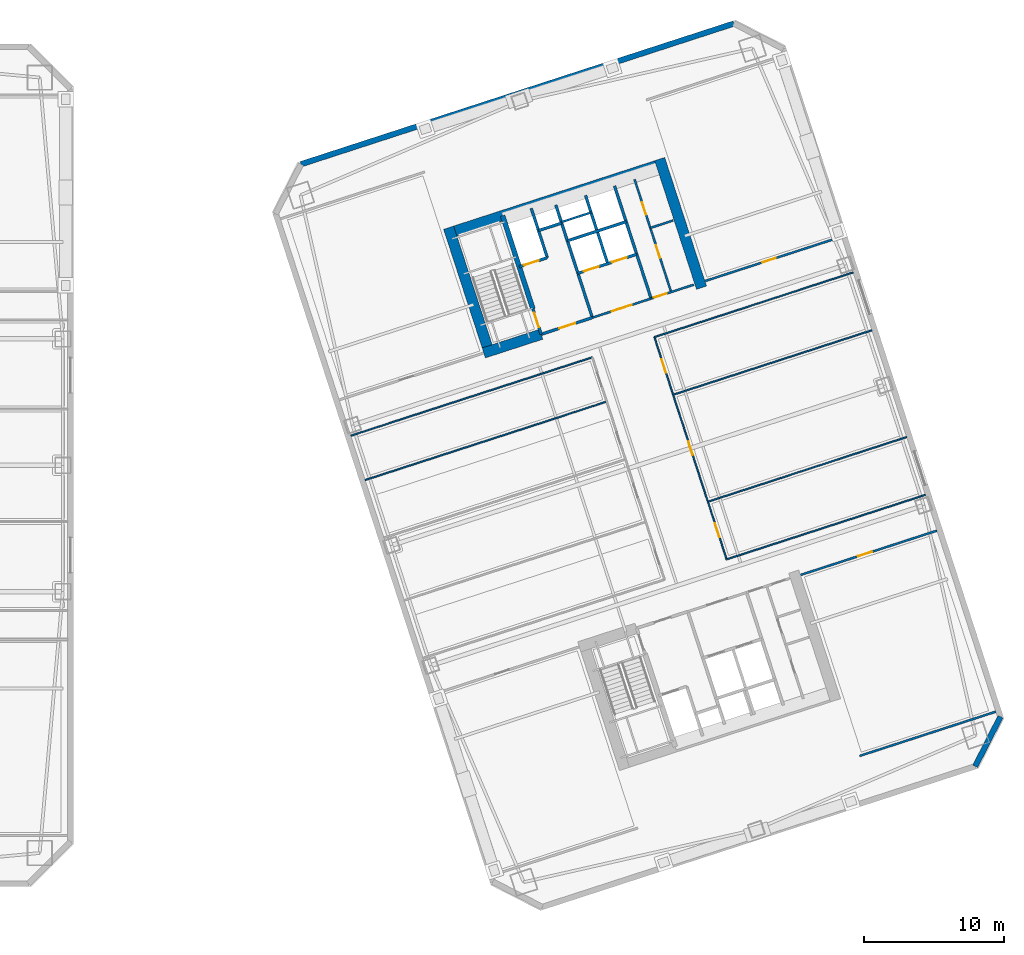
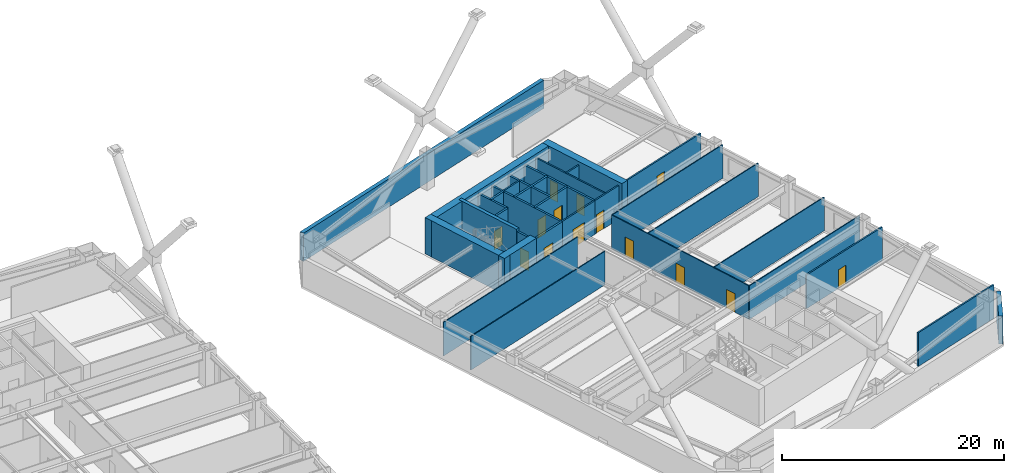
# One storey, part 8 of 18: 32 walls, 14 doors, 14 openings.
"""IFC4 building model written with IfcOpenShell, lengths in metres."""

from ifc_helpers import new_model, si_unit, direction, frame, frame_2d, origin, place, context, subcontext, project, spatial, rectangle, extrude, material, layer, layer_set, type_object, element, fill, save


model = new_model("IFC4")

# Units and contexts
model_context = context("Model", 3, precision=1e-05, world=origin(), true_north=direction((0.0, 1.0)))
body_context = subcontext(model_context, "Body", "Model", "MODEL_VIEW")
ifc_project = project(units=[si_unit("LENGTHUNIT", "METRE"), si_unit("AREAUNIT", "SQUARE_METRE"), si_unit("VOLUMEUNIT", "CUBIC_METRE"), si_unit("PLANEANGLEUNIT", "RADIAN"), si_unit("MASSUNIT", "GRAM", prefix="KILO")], contexts=[model_context])

# Site, building, storey
site_placement = place(None, origin())
site = spatial("IfcSite", under=ifc_project, at=site_placement, CompositionType="ELEMENT")
building_placement = place(site_placement, origin())
building = spatial("IfcBuilding", under=site, at=building_placement, Name="Qiaolan Cultural Towers", CompositionType="ELEMENT")
storey_placement = place(building_placement, frame((0.0, 0.0, 42.0)))
storey = spatial("IfcBuildingStorey", under=building, at=storey_placement, Name="L09", CompositionType="ELEMENT", Elevation=42.0)

# Walls
ifc_material_1 = material(Name="Concrete C50", Category="concrete")
ifc_layer_1 = layer(ifc_material_1, 0.35009765625)
ifc_layer_set_1 = layer_set([ifc_layer_1], Name="Concrete C50")
wall_type_1 = type_object("IfcWallType", Name="WL-CORE-350", PredefinedType="SHEAR", material=ifc_layer_set_1)
wall_1_placement = place(storey_placement, frame((82.513671875, 45.13134765625, 0.0), z_axis=(0.0, 0.0, 1.0), x_axis=(-0.308988790936, 0.951065679686, 0.0)))
element("IfcWall", 1, at=wall_1_placement, inside=storey, type_object=wall_type_1, Name="L09 T2-CN Stair Core Dividing Web", PredefinedType="SHEAR", context=body_context, shape_type="SweptSolid", body=[
    extrude(rectangle(XDim=6.97998046875, YDim=0.35009765625, at=frame_2d((3.489990234375, 0.0))), origin(), (0.0, 0.0, 1.0), 4.0),
])
ifc_material_2 = material(Name="Concrete C60", Category="concrete")
ifc_layer_2 = layer(ifc_material_2, 0.75)
ifc_layer_set_2 = layer_set([ifc_layer_2], Name="Concrete C60")
wall_type_2 = type_object("IfcWallType", Name="WL-CORE-750", PredefinedType="SHEAR", material=ifc_layer_set_2)
wall_2_placement = place(storey_placement, frame((76.27197265625, 50.442626953125, 0.0), z_axis=(0.0, 0.0, 1.0), x_axis=(0.951056072937, 0.309018358888, 0.0)))
element("IfcWall", 2, at=wall_2_placement, inside=storey, type_object=wall_type_2, Name="L09 T2-CN Outer Core Shear Wall", PredefinedType="SHEAR", context=body_context, shape_type="SweptSolid", body=[
    extrude(rectangle(XDim=16.550048828125, YDim=0.75, at=frame_2d((8.27490234375, 0.0))), origin(), (0.0, 0.0, 1.0), 4.0),
])
for number, where, z_axis, x_axis, name in (
    (3, (79.48876953125, 41.75634765625, 0.0), (0.0, 0.0, 1.0), (-0.309016134813, 0.951056795583, 0.0), "L09 T2-CN West Core Shear Wall"),
    (4, (94.515380859375, 46.638916015625, 0.0), (0.0, 0.0, 1.0), (-0.309016134813, 0.951056795583, 0.0), "L09 T2-CN East Core Shear Wall"),
):
    element("IfcWall", number, at=place(storey_placement, frame(where, z_axis=z_axis, x_axis=x_axis)), inside=storey, type_object=wall_type_2, Name=name, PredefinedType="SHEAR", context=body_context, shape_type="SweptSolid", body=[
        extrude(rectangle(XDim=9.630126953125, YDim=0.75, at=frame_2d((4.81494140625, 0.0))), origin(), (0.0, 0.0, 1.0), 4.0),
    ])
wall_3_placement = place(storey_placement, frame((79.01611328125, 41.997314453125, 0.0), z_axis=(0.0, 0.0, 1.0), x_axis=(0.95106038264, 0.309005094736, 0.0)))
element("IfcWall", 5, at=wall_3_placement, inside=storey, type_object=wall_type_2, Name="L09 T2-CN Stair Front Shear Wall", PredefinedType="SHEAR", context=body_context, shape_type="SweptSolid", body=[
    extrude(rectangle(XDim=4.294921875, YDim=0.75, at=frame_2d((2.1474609375, 0.0))), origin(), (0.0, 0.0, 1.0), 4.0),
])
ifc_material_3 = material(Name="Precast Concrete C50 Honed Stone Pier", Category="masonry")
ifc_layer_3 = layer(ifc_material_3, 0.39990234375)
ifc_layer_set_3 = layer_set([ifc_layer_3], Name="Precast Concrete C50 Honed Stone Pier")
wall_type_3 = type_object("IfcWallType", Name="WL-EXT-PIER-400", PredefinedType="SOLIDWALL", material=ifc_layer_set_3)
wall_4_placement = place(storey_placement, frame((66.002197265625, 55.433349609375, 0.0), z_axis=(0.0, 0.0, 1.0), x_axis=(0.951055939317, 0.309018770125, 0.0)))
element("IfcWall", 6, at=wall_4_placement, inside=storey, type_object=wall_type_3, Name="L09 East Tower Precast Pier Facade Wall F3", PredefinedType="SOLIDWALL", context=body_context, shape_type="SweptSolid", body=[
    extrude(rectangle(XDim=32.39990234375, YDim=0.39990234375, at=frame_2d((16.199951171875, 0.0))), origin(), (0.0, 0.0, 1.0), 3.10009765625),
])
wall_5_placement = place(storey_placement, frame((115.79541015625, 16.094970703125, 0.0), z_axis=(0.0, 0.0, 1.0), x_axis=(-0.453958106755, -0.891023028497, 0.0)))
element("IfcWall", 7, at=wall_5_placement, inside=storey, type_object=wall_type_3, Name="L09 East Tower Precast Pier Facade Wall F6", PredefinedType="SOLIDWALL", context=body_context, shape_type="SweptSolid", body=[
    extrude(rectangle(XDim=3.9599609375, YDim=0.39990234375, at=frame_2d((1.97998046875, 0.0))), origin(), (0.0, 0.0, 1.0), 3.10009765625),
])

# Wall, opening, door
ifc_material_4 = material(Name="Concrete C35 Fire Wall", Category="concrete")
ifc_layer_4 = layer(ifc_material_4, 0.199951171875)
ifc_layer_set_4 = layer_set([ifc_layer_4], Name="Concrete C35 Fire Wall")
wall_type_4 = type_object("IfcWallType", Name="WL-FIRE-200", PredefinedType="PARTITIONING", material=ifc_layer_set_4)
wall_6_placement = place(storey_placement, frame((83.100830078125, 43.324462890625, 0.0), z_axis=(0.0, 0.0, 1.0), x_axis=(-0.309048298632, 0.951046344356, 0.0)))
wall_6 = element("IfcWall", 8, at=wall_6_placement, inside=storey, type_object=wall_type_4, Name="L09 T2-CN Smokeproof Stair Entry Wall", PredefinedType="PARTITIONING", context=body_context, shape_type="SweptSolid", body=[
    extrude(rectangle(XDim=1.89990234375, YDim=0.199951171875, at=frame_2d((0.949951171875, 0.0))), origin(), (0.0, 0.0, 1.0), 3.705078125),
])
opening_1_placement = place(wall_6_placement, frame((0.52001953125, 0.0, 0.0)))
opening_1 = element("IfcOpeningElement", 9, at=opening_1_placement, cuts=wall_6, Name="Opening FD-04", PredefinedType="OPENING", context=body_context, shape_type="SweptSolid", body=[
    extrude(rectangle(XDim=1.10009765625, YDim=2.050048828125, at=frame_2d((0.550048828125, 1.02490234375))), frame((0.0, 0.10986328125, 0.0), z_axis=(0.0, -1.0, 0.0), x_axis=(1.0, 0.0, 0.0)), (0.0, 0.0, 1.0), 0.219970703125),
])
ifc_material_5 = material(Name="Galvanized Steel Command Fire Door", Category="steel")
door_type_1 = type_object("IfcDoorType", Name="DR-FD90-1100", OperationType="NOTDEFINED", PredefinedType="DOOR", material=ifc_material_5)
door_1_placement = place(opening_1_placement, origin())
door_1 = element("IfcDoor", 10, at=door_1_placement, inside=storey, type_object=door_type_1, Name="L09 ST-E2 Smokeproof Stair Fire Door", OperationType="SINGLE_SWING_LEFT", OverallHeight=2.050048828125, OverallWidth=1.10009765625, PredefinedType="DOOR", context=body_context, shape_type="SweptSolid", body=[
    extrude(rectangle(XDim=1.10009765625, YDim=2.050048828125, at=frame_2d((0.550048828125, 1.02490234375))), frame((0.0, 0.02490234375, 0.0), z_axis=(0.0, -1.0, 0.0), x_axis=(1.0, 0.0, 0.0)), (0.0, 0.0, 1.0), 0.050048828125),
])
fill(opening_1, door_1)

# Wall
wall_7_placement = place(storey_placement, frame((86.743408203125, 44.508056640625, 0.0), z_axis=(0.0, 0.0, 1.0), x_axis=(-0.309016001439, 0.951056838919, 0.0)))
element("IfcWall", 11, at=wall_7_placement, inside=storey, type_object=wall_type_4, Name="L09 T2-CN Firefighting Zone Wall", PredefinedType="PARTITIONING", context=body_context, shape_type="SweptSolid", body=[
    extrude(rectangle(XDim=8.429931640625, YDim=0.199951171875, at=frame_2d((4.21484375, 0.0))), origin(), (0.0, 0.0, 1.0), 3.705078125),
])

# Wall, opening, door
wall_8_placement = place(storey_placement, frame((83.100830078125, 43.324462890625, 0.0), z_axis=(0.0, 0.0, 1.0), x_axis=(0.951052804469, 0.309028417967, 0.0)))
wall_8 = element("IfcWall", 12, at=wall_8_placement, inside=storey, type_object=wall_type_4, Name="L09 T2-CN Firefighting Lobby Front Wall", PredefinedType="PARTITIONING", context=body_context, shape_type="SweptSolid", body=[
    extrude(rectangle(XDim=3.830078125, YDim=0.199951171875, at=frame_2d((1.9150390625, 0.0))), origin(), (0.0, 0.0, 1.0), 3.705078125),
])
opening_2_placement = place(wall_8_placement, frame((1.35009765625, 0.0, 0.0)))
opening_2 = element("IfcOpeningElement", 13, at=opening_2_placement, cuts=wall_8, Name="Opening FD-03", PredefinedType="OPENING", context=body_context, shape_type="SweptSolid", body=[
    extrude(rectangle(XDim=1.199951171875, YDim=2.050048828125, at=frame_2d((0.60009765625, 1.02490234375))), frame((0.0, 0.10986328125, 0.0), z_axis=(0.0, -1.0, 0.0), x_axis=(1.0, 0.0, 0.0)), (0.0, 0.0, 1.0), 0.219970703125),
])
ifc_material_6 = material(Name="Galvanized Steel Smokeproof Lobby Fire Door", Category="steel")
door_type_2 = type_object("IfcDoorType", Name="DR-FD90-1200", OperationType="NOTDEFINED", PredefinedType="DOOR", material=ifc_material_6)
door_2_placement = place(opening_2_placement, origin())
door_2 = element("IfcDoor", 14, at=door_2_placement, inside=storey, type_object=door_type_2, Name="L09 FFL-E2 Firefighting Lobby Fire Door", OperationType="SINGLE_SWING_LEFT", OverallHeight=2.050048828125, OverallWidth=1.199951171875, PredefinedType="DOOR", context=body_context, shape_type="SweptSolid", body=[
    extrude(rectangle(XDim=1.199951171875, YDim=2.050048828125, at=frame_2d((0.60009765625, 1.02490234375))), frame((0.0, 0.02490234375, 0.0), z_axis=(0.0, -1.0, 0.0), x_axis=(1.0, 0.0, 0.0)), (0.0, 0.0, 1.0), 0.050048828125),
])
fill(opening_2, door_2)

wall_9_placement = place(storey_placement, frame((81.540283203125, 48.127197265625, 0.0), z_axis=(0.0, 0.0, 1.0), x_axis=(0.951062257173, 0.308999325213, 0.0)))
wall_9 = element("IfcWall", 15, at=wall_9_placement, inside=storey, type_object=wall_type_4, Name="L09 T2-CN Firefighting Shaft Front Wall", PredefinedType="PARTITIONING", context=body_context, shape_type="SweptSolid", body=[
    extrude(rectangle(XDim=2.10009765625, YDim=0.199951171875, at=frame_2d((1.050048828125, 0.0))), origin(), (0.0, 0.0, 1.0), 3.705078125),
])
opening_3_placement = place(wall_9_placement, frame((0.35009765625, 0.0, 0.0)))
opening_3 = element("IfcOpeningElement", 16, at=opening_3_placement, cuts=wall_9, Name="Opening LD-01", PredefinedType="OPENING", context=body_context, shape_type="SweptSolid", body=[
    extrude(rectangle(XDim=1.10009765625, YDim=2.050048828125, at=frame_2d((0.550048828125, 1.02490234375))), frame((0.0, 0.10986328125, 0.0), z_axis=(0.0, -1.0, 0.0), x_axis=(1.0, 0.0, 0.0)), (0.0, 0.0, 1.0), 0.219970703125),
])
ifc_material_7 = material(Name="Brushed Stainless Steel S30408 Centre-Parting Lift Landing Door", Category="steel")
door_type_3 = type_object("IfcDoorType", Name="DR-LIFT-1100", OperationType="NOTDEFINED", PredefinedType="DOOR", material=ifc_material_7)
door_3_placement = place(opening_3_placement, origin())
door_3 = element("IfcDoor", 17, at=door_3_placement, inside=storey, type_object=door_type_3, Name="L09 FFL-E2 Firefighting Lift Landing Door", OperationType="DOUBLE_DOOR_SLIDING", OverallHeight=2.050048828125, OverallWidth=1.10009765625, PredefinedType="DOOR", context=body_context, shape_type="SweptSolid", body=[
    extrude(rectangle(XDim=1.10009765625, YDim=2.050048828125, at=frame_2d((0.550048828125, 1.02490234375))), frame((0.0, 0.02490234375, 0.0), z_axis=(0.0, -1.0, 0.0), x_axis=(1.0, 0.0, 0.0)), (0.0, 0.0, 1.0), 0.050048828125),
])
fill(opening_3, door_3)

# Walls
wall_10_placement = place(storey_placement, frame((83.53759765625, 48.776123046875, 0.0), z_axis=(0.0, 0.0, 1.0), x_axis=(-0.3089935693, 0.951064127245, 0.0)))
element("IfcWall", 18, at=wall_10_placement, inside=storey, type_object=wall_type_4, Name="L09 T2-CN Firefighting Hoistway East Wall", PredefinedType="PARTITIONING", context=body_context, shape_type="SweptSolid", body=[
    extrude(rectangle(XDim=3.7001953125, YDim=0.199951171875, at=frame_2d((1.85009765625, 0.0))), origin(), (0.0, 0.0, 1.0), 3.705078125),
])
wall_11_placement = place(storey_placement, frame((82.910400390625, 50.706787109375, 0.0), z_axis=(0.0, 0.0, 1.0), x_axis=(0.951041328149, 0.309063734775, 0.0)))
element("IfcWall", 19, at=wall_11_placement, inside=storey, type_object=wall_type_4, Name="L09 T2-CN Pressurization Shaft Front Wall", PredefinedType="PARTITIONING", context=body_context, shape_type="SweptSolid", body=[
    extrude(rectangle(XDim=1.72998046875, YDim=0.199951171875, at=frame_2d((0.864990234375, 0.0))), origin(), (0.0, 0.0, 1.0), 3.705078125),
])
wall_12_placement = place(storey_placement, frame((90.92822265625, 45.86767578125, 0.0), z_axis=(0.0, 0.0, 1.0), x_axis=(-0.309042196757, 0.951048327176, 0.0)))
element("IfcWall", 20, at=wall_12_placement, inside=storey, type_object=wall_type_4, Name="L09 T2-CN Lift Core East Wall", PredefinedType="PARTITIONING", context=body_context, shape_type="SweptSolid", body=[
    extrude(rectangle(XDim=8.429931640625, YDim=0.199951171875, at=frame_2d((4.21484375, 0.0))), origin(), (0.0, 0.0, 1.0), 3.705078125),
])

# Wall, openings, doors
wall_13_placement = place(storey_placement, frame((85.717529296875, 47.66552734375, 0.0), z_axis=(0.0, 0.0, 1.0), x_axis=(0.951058531764, 0.30901079133, 0.0)))
wall_13 = element("IfcWall", 21, at=wall_13_placement, inside=storey, type_object=wall_type_4, Name="L09 T2-CN Passenger Lift Shaft Front Wall", PredefinedType="PARTITIONING", context=body_context, shape_type="SweptSolid", body=[
    extrude(rectangle(XDim=4.39990234375, YDim=0.199951171875, at=frame_2d((2.199951171875, 0.0))), origin(), (0.0, 0.0, 1.0), 3.705078125),
])
opening_4_placement = place(wall_13_placement, frame((0.449951171875, 0.0, 0.0)))
opening_4 = element("IfcOpeningElement", 22, at=opening_4_placement, cuts=wall_13, Name="Opening LD-01", PredefinedType="OPENING", context=body_context, shape_type="SweptSolid", body=[
    extrude(rectangle(XDim=1.10009765625, YDim=2.050048828125, at=frame_2d((0.550048828125, 1.02490234375))), frame((0.0, 0.10986328125, 0.0), z_axis=(0.0, -1.0, 0.0), x_axis=(1.0, 0.0, 0.0)), (0.0, 0.0, 1.0), 0.219970703125),
])
opening_5_placement = place(wall_13_placement, frame((2.550048828125, 0.0, 0.0)))
opening_5 = element("IfcOpeningElement", 23, at=opening_5_placement, cuts=wall_13, Name="Opening LD-01", PredefinedType="OPENING", context=body_context, shape_type="SweptSolid", body=[
    extrude(rectangle(XDim=1.10009765625, YDim=2.050048828125, at=frame_2d((0.550048828125, 1.02490234375))), frame((0.0, 0.10986328125, 0.0), z_axis=(0.0, -1.0, 0.0), x_axis=(1.0, 0.0, 0.0)), (0.0, 0.0, 1.0), 0.219970703125),
])
door_4_placement = place(opening_4_placement, origin())
door_4 = element("IfcDoor", 24, at=door_4_placement, inside=storey, type_object=door_type_3, Name="L09 Passenger Lift 1 Landing Door", OperationType="DOUBLE_DOOR_SLIDING", OverallHeight=2.050048828125, OverallWidth=1.10009765625, PredefinedType="DOOR", context=body_context, shape_type="SweptSolid", body=[
    extrude(rectangle(XDim=1.10009765625, YDim=2.050048828125, at=frame_2d((0.550048828125, 1.02490234375))), frame((0.0, 0.02490234375, 0.0), z_axis=(0.0, -1.0, 0.0), x_axis=(1.0, 0.0, 0.0)), (0.0, 0.0, 1.0), 0.050048828125),
])
fill(opening_4, door_4)
door_5_placement = place(opening_5_placement, origin())
door_5 = element("IfcDoor", 25, at=door_5_placement, inside=storey, type_object=door_type_3, Name="L09 Passenger Lift 2 Landing Door", OperationType="DOUBLE_DOOR_SLIDING", OverallHeight=2.050048828125, OverallWidth=1.10009765625, PredefinedType="DOOR", context=body_context, shape_type="SweptSolid", body=[
    extrude(rectangle(XDim=1.10009765625, YDim=2.050048828125, at=frame_2d((0.550048828125, 1.02490234375))), frame((0.0, 0.02490234375, 0.0), z_axis=(0.0, -1.0, 0.0), x_axis=(1.0, 0.0, 0.0)), (0.0, 0.0, 1.0), 0.050048828125),
])
fill(opening_5, door_5)

# Walls
wall_14_placement = place(storey_placement, frame((87.83837890625, 48.3544921875, 0.0), z_axis=(0.0, 0.0, 1.0), x_axis=(-0.3090093719, 0.951058992953, 0.0)))
element("IfcWall", 26, at=wall_14_placement, inside=storey, type_object=wall_type_4, Name="L09 T2-CN Lift Shaft Divider Wall", PredefinedType="PARTITIONING", context=body_context, shape_type="SweptSolid", body=[
    extrude(rectangle(XDim=5.110107421875, YDim=0.199951171875, at=frame_2d((2.55517578125, 0.0))), origin(), (0.0, 0.0, 1.0), 3.705078125),
])
wall_15_placement = place(storey_placement, frame((84.966552734375, 49.9765625, 0.0), z_axis=(0.0, 0.0, 1.0), x_axis=(0.951063829732, 0.308994485023, 0.0)))
element("IfcWall", 27, at=wall_15_placement, inside=storey, type_object=wall_type_4, Name="L09 T2-CN Passenger Lift Shaft Back Wall", PredefinedType="PARTITIONING", context=body_context, shape_type="SweptSolid", body=[
    extrude(rectangle(XDim=4.400146484375, YDim=0.199951171875, at=frame_2d((2.2001953125, 0.0))), origin(), (0.0, 0.0, 1.0), 3.705078125),
])
ifc_material_8 = material(Name="Acoustic Double-Glazed Partition Frame", Category="glass")
ifc_layer_5 = layer(ifc_material_8, 0.10009765625)
ifc_layer_set_5 = layer_set([ifc_layer_5], Name="Acoustic Double-Glazed Partition Frame")
wall_type_5 = type_object("IfcWallType", Name="WL-GLAZED-100", PredefinedType="MOVABLE", material=ifc_layer_set_5)
wall_16_placement = place(storey_placement, frame((96.303955078125, 27.300048828125, 0.0), z_axis=(0.0, 0.0, 1.0), x_axis=(0.951055535739, 0.309020012199, 0.0)))
element("IfcWall", 28, at=wall_16_placement, inside=storey, type_object=wall_type_5, Name="L09 T2 South Corridor Right Wall", PredefinedType="MOVABLE", context=body_context, shape_type="SweptSolid", body=[
    extrude(rectangle(XDim=14.875, YDim=0.10009765625, at=frame_2d((7.4375, 0.0))), origin(), (0.0, 0.0, 1.0), 3.705078125),
])
wall_17_placement = place(storey_placement, frame((69.549072265625, 36.103271484375, 0.0), z_axis=(0.0, 0.0, 1.0), x_axis=(0.951057491432, 0.309013993197, 0.0)))
element("IfcWall", 29, at=wall_17_placement, inside=storey, type_object=wall_type_5, Name="L09 T2 North Corridor Left Wall", PredefinedType="MOVABLE", context=body_context, shape_type="SweptSolid", body=[
    extrude(rectangle(XDim=18.074951171875, YDim=0.10009765625, at=frame_2d((9.03759765625, 0.0))), origin(), (0.0, 0.0, 1.0), 3.705078125),
])
wall_18_placement = place(storey_placement, frame((91.161865234375, 43.125732421875, 0.0), z_axis=(0.0, 0.0, 1.0), x_axis=(0.951055535739, 0.309020012199, 0.0)))
element("IfcWall", 30, at=wall_18_placement, inside=storey, type_object=wall_type_5, Name="L09 T2 North Corridor Right Wall", PredefinedType="MOVABLE", context=body_context, shape_type="SweptSolid", body=[
    extrude(rectangle(XDim=14.875, YDim=0.10009765625, at=frame_2d((7.4375, 0.0))), origin(), (0.0, 0.0, 1.0), 3.705078125),
])

# Wall, openings, doors
wall_19_placement = place(storey_placement, frame((96.303955078125, 27.300048828125, 0.0), z_axis=(0.0, 0.0, 1.0), x_axis=(-0.30901773025, 0.951056277195, 0.0)))
wall_19 = element("IfcWall", 31, at=wall_19_placement, inside=storey, type_object=wall_type_5, Name="L09 T2 East Spine Wall", PredefinedType="MOVABLE", context=body_context, shape_type="SweptSolid", body=[
    extrude(rectangle(XDim=16.64013671875, YDim=0.10009765625, at=frame_2d((8.320068359375, 0.0))), origin(), (0.0, 0.0, 1.0), 3.705078125),
])
opening_6_placement = place(wall_19_placement, frame((1.659912109375, 0.0, 0.0)))
opening_6 = element("IfcOpeningElement", 32, at=opening_6_placement, cuts=wall_19, Name="Opening ID-07", PredefinedType="OPENING", context=body_context, shape_type="SweptSolid", body=[
    extrude(rectangle(XDim=1.050048828125, YDim=2.050048828125, at=frame_2d((0.52490234375, 1.02490234375))), frame((0.0, 0.06005859375, 0.0), z_axis=(0.0, -1.0, 0.0), x_axis=(1.0, 0.0, 0.0)), (0.0, 0.0, 1.0), 0.1201171875),
])
opening_7_placement = place(wall_19_placement, frame((7.820068359375, 0.0, 0.0)))
opening_7 = element("IfcOpeningElement", 33, at=opening_7_placement, cuts=wall_19, Name="Opening ID-04", PredefinedType="OPENING", context=body_context, shape_type="SweptSolid", body=[
    extrude(rectangle(XDim=1.0, YDim=2.050048828125, at=frame_2d((0.5, 1.02490234375))), frame((0.0, 0.06005859375, 0.0), z_axis=(0.0, -1.0, 0.0), x_axis=(1.0, 0.0, 0.0)), (0.0, 0.0, 1.0), 0.1201171875),
])
opening_8_placement = place(wall_19_placement, frame((13.97998046875, 0.0, 0.0)))
opening_8 = element("IfcOpeningElement", 34, at=opening_8_placement, cuts=wall_19, Name="Opening ID-04", PredefinedType="OPENING", context=body_context, shape_type="SweptSolid", body=[
    extrude(rectangle(XDim=1.0, YDim=2.050048828125, at=frame_2d((0.5, 1.02490234375))), frame((0.0, 0.06005859375, 0.0), z_axis=(0.0, -1.0, 0.0), x_axis=(1.0, 0.0, 0.0)), (0.0, 0.0, 1.0), 0.1201171875),
])
ifc_material_9 = material(Name="Oak Veneer Acoustic Office Door", Category="timber")
door_type_4 = type_object("IfcDoorType", Name="DR-INT-1000", OperationType="NOTDEFINED", PredefinedType="DOOR", material=ifc_material_9)
door_6_placement = place(opening_7_placement, origin())
door_6 = element("IfcDoor", 35, at=door_6_placement, inside=storey, type_object=door_type_4, Name="L09 T2 Design Archive Studio Door", OperationType="SINGLE_SWING_LEFT", OverallHeight=2.050048828125, OverallWidth=1.0, PredefinedType="DOOR", context=body_context, shape_type="SweptSolid", body=[
    extrude(rectangle(XDim=1.0, YDim=2.050048828125, at=frame_2d((0.5, 1.02490234375))), frame((0.0, 0.02490234375, 0.0), z_axis=(0.0, -1.0, 0.0), x_axis=(1.0, 0.0, 0.0)), (0.0, 0.0, 1.0), 0.050048828125),
])
fill(opening_7, door_6)
door_7_placement = place(opening_8_placement, origin())
door_7 = element("IfcDoor", 36, at=door_7_placement, inside=storey, type_object=door_type_4, Name="L09 T2 Staff Dining Kitchen Door", OperationType="SINGLE_SWING_RIGHT", OverallHeight=2.050048828125, OverallWidth=1.0, PredefinedType="DOOR", context=body_context, shape_type="SweptSolid", body=[
    extrude(rectangle(XDim=1.0, YDim=2.050048828125, at=frame_2d((0.5, 1.02490234375))), frame((0.0, 0.02490234375, 0.0), z_axis=(0.0, -1.0, 0.0), x_axis=(1.0, 0.0, 0.0)), (0.0, 0.0, 1.0), 0.050048828125),
])
fill(opening_8, door_7)
ifc_material_10 = material(Name="Oak Veneer Consultation Door", Category="timber")
door_type_5 = type_object("IfcDoorType", Name="DR-INT-1050", OperationType="NOTDEFINED", PredefinedType="DOOR", material=ifc_material_10)
door_8_placement = place(opening_6_placement, origin())
door_8 = element("IfcDoor", 37, at=door_8_placement, inside=storey, type_object=door_type_5, Name="L09 T2 Cultural Bookstore Gallery Door", OperationType="SINGLE_SWING_RIGHT", OverallHeight=2.050048828125, OverallWidth=1.050048828125, PredefinedType="DOOR", context=body_context, shape_type="SweptSolid", body=[
    extrude(rectangle(XDim=1.050048828125, YDim=2.050048828125, at=frame_2d((0.52490234375, 1.02490234375))), frame((0.0, 0.02490234375, 0.0), z_axis=(0.0, -1.0, 0.0), x_axis=(1.0, 0.0, 0.0)), (0.0, 0.0, 1.0), 0.050048828125),
])
fill(opening_6, door_8)

# Walls
wall_20_placement = place(storey_placement, frame((70.574951171875, 32.94580078125, 0.0), z_axis=(0.0, 0.0, 1.0), x_axis=(0.951057491432, 0.309013993197, 0.0)))
element("IfcWall", 38, at=wall_20_placement, inside=storey, type_object=wall_type_5, Name="L09 T2 West Partition 5", PredefinedType="MOVABLE", context=body_context, shape_type="SweptSolid", body=[
    extrude(rectangle(XDim=18.074951171875, YDim=0.10009765625, at=frame_2d((9.03759765625, 0.0))), origin(), (0.0, 0.0, 1.0), 3.705078125),
])
for number, where, z_axis, x_axis, name in (
    (39, (94.968994140625, 31.40869140625, 0.0), (0.0, 0.0, 1.0), (0.951055535739, 0.309020012199, 0.0), "L09 T2 East Partition 1"),
    (40, (92.496826171875, 39.01708984375, 0.0), (0.0, 0.0, 1.0), (0.951055535739, 0.309020012199, 0.0), "L09 T2 East Partition 2"),
):
    element("IfcWall", number, at=place(storey_placement, frame(where, z_axis=z_axis, x_axis=x_axis)), inside=storey, type_object=wall_type_5, Name=name, PredefinedType="MOVABLE", context=body_context, shape_type="SweptSolid", body=[
        extrude(rectangle(XDim=14.875, YDim=0.10009765625, at=frame_2d((7.4375, 0.0))), origin(), (0.0, 0.0, 1.0), 3.705078125),
    ])

# Wall, opening, door
ifc_material_11 = material(Name="Autoclaved Aerated Concrete Block B06", Category="concrete")
ifc_layer_6 = layer(ifc_material_11, 0.14990234375)
ifc_layer_set_6 = layer_set([ifc_layer_6], Name="Autoclaved Aerated Concrete Block B06")
wall_type_6 = type_object("IfcWallType", Name="WL-PART-150", PredefinedType="PARTITIONING", material=ifc_layer_set_6)
wall_21_placement = place(storey_placement, frame((86.743408203125, 44.508056640625, 0.0), z_axis=(0.0, 0.0, 1.0), x_axis=(0.951063829732, 0.308994485023, 0.0)))
wall_21 = element("IfcWall", 41, at=wall_21_placement, inside=storey, type_object=wall_type_6, Name="L09 T2-CN Passenger Lift Lobby Front Wall", PredefinedType="PARTITIONING", context=body_context, shape_type="SweptSolid", body=[
    extrude(rectangle(XDim=4.400146484375, YDim=0.14990234375, at=frame_2d((2.2001953125, 0.0))), origin(), (0.0, 0.0, 1.0), 3.705078125),
])
opening_9_placement = place(wall_21_placement, frame((1.449951171875, 0.0, 0.0)))
opening_9 = element("IfcOpeningElement", 42, at=opening_9_placement, cuts=wall_21, Name="Opening FD-05", PredefinedType="OPENING", context=body_context, shape_type="SweptSolid", body=[
    extrude(rectangle(XDim=1.5, YDim=2.050048828125, at=frame_2d((0.75, 1.02490234375))), frame((0.0, 0.0849609375, 0.0), z_axis=(0.0, -1.0, 0.0), x_axis=(1.0, 0.0, 0.0)), (0.0, 0.0, 1.0), 0.169921875),
])
ifc_material_12 = material(Name="Painted Steel Lift Lobby Fire Door", Category="steel")
door_type_6 = type_object("IfcDoorType", Name="DR-FD60-1500", OperationType="NOTDEFINED", PredefinedType="DOOR", material=ifc_material_12)
door_9_placement = place(opening_9_placement, origin())
door_9 = element("IfcDoor", 43, at=door_9_placement, inside=storey, type_object=door_type_6, Name="L09 Passenger Lift Lobby Entrance", OperationType="SINGLE_SWING_LEFT", OverallHeight=2.050048828125, OverallWidth=1.5, PredefinedType="DOOR", context=body_context, shape_type="SweptSolid", body=[
    extrude(rectangle(XDim=1.5, YDim=2.050048828125, at=frame_2d((0.75, 1.02490234375))), frame((0.0, 0.02490234375, 0.0), z_axis=(0.0, -1.0, 0.0), x_axis=(1.0, 0.0, 0.0)), (0.0, 0.0, 1.0), 0.050048828125),
])
fill(opening_9, door_9)

# Wall
wall_22_placement = place(storey_placement, frame((84.533935546875, 51.30810546875, 0.0), z_axis=(0.0, 0.0, 1.0), x_axis=(0.951075093106, 0.308959814982, 0.0)))
element("IfcWall", 44, at=wall_22_placement, inside=storey, type_object=wall_type_6, Name="L09 T2-CN Core Rear Riser Split", PredefinedType="PARTITIONING", context=body_context, shape_type="SweptSolid", body=[
    extrude(rectangle(XDim=2.22998046875, YDim=0.14990234375, at=frame_2d((1.114990234375, 0.0))), origin(), (0.0, 0.0, 1.0), 3.705078125),
])

# Wall, opening, door
wall_23_placement = place(storey_placement, frame((90.92822265625, 45.86767578125, 0.0), z_axis=(0.0, 0.0, 1.0), x_axis=(0.951059297078, 0.309008435874, 0.0)))
wall_23 = element("IfcWall", 45, at=wall_23_placement, inside=storey, type_object=wall_type_6, Name="L09 T2-CN Sanitary Core Front Wall", PredefinedType="PARTITIONING", context=body_context, shape_type="SweptSolid", body=[
    extrude(rectangle(XDim=3.19970703125, YDim=0.14990234375, at=frame_2d((1.599853515625, 0.0))), origin(), (0.0, 0.0, 1.0), 3.705078125),
])
opening_10_placement = place(wall_23_placement, frame((0.219970703125, 0.0, 0.0)))
opening_10 = element("IfcOpeningElement", 46, at=opening_10_placement, cuts=wall_23, Name="Opening ID-05", PredefinedType="OPENING", context=body_context, shape_type="SweptSolid", body=[
    extrude(rectangle(XDim=0.949951171875, YDim=2.050048828125, at=frame_2d((0.47509765625, 1.02490234375))), frame((0.0, 0.0849609375, 0.0), z_axis=(0.0, -1.0, 0.0), x_axis=(1.0, 0.0, 0.0)), (0.0, 0.0, 1.0), 0.169921875),
])
ifc_material_13 = material(Name="Fire-Rated Laminate Accessible Core Door", Category="timber")
door_type_7 = type_object("IfcDoorType", Name="DR-INT-950", OperationType="NOTDEFINED", PredefinedType="DOOR", material=ifc_material_13)
door_10_placement = place(opening_10_placement, origin())
door_10 = element("IfcDoor", 47, at=door_10_placement, inside=storey, type_object=door_type_7, Name="L09 Sanitary Lobby Door", OperationType="SINGLE_SWING_LEFT", OverallHeight=2.050048828125, OverallWidth=0.949951171875, PredefinedType="DOOR", context=body_context, shape_type="SweptSolid", body=[
    extrude(rectangle(XDim=0.949951171875, YDim=2.050048828125, at=frame_2d((0.47509765625, 1.02490234375))), frame((0.0, 0.02490234375, 0.0), z_axis=(0.0, -1.0, 0.0), x_axis=(1.0, 0.0, 0.0)), (0.0, 0.0, 1.0), 0.050048828125),
])
fill(opening_10, door_10)

# Wall, openings, doors
wall_24_placement = place(storey_placement, frame((92.354736328125, 46.3310546875, 0.0), z_axis=(0.0, 0.0, 1.0), x_axis=(-0.309007490203, 0.951059604335, 0.0)))
wall_24 = element("IfcWall", 48, at=wall_24_placement, inside=storey, type_object=wall_type_6, Name="L09 T2-CN Washroom Split Wall", PredefinedType="PARTITIONING", context=body_context, shape_type="SweptSolid", body=[
    extrude(rectangle(XDim=8.43017578125, YDim=0.14990234375, at=frame_2d((4.215087890625, 0.0))), origin(), (0.0, 0.0, 1.0), 3.705078125),
])
opening_11_placement = place(wall_24_placement, frame((2.550048828125, 0.0, 0.0)))
opening_11 = element("IfcOpeningElement", 49, at=opening_11_placement, cuts=wall_24, Name="Opening ID-05", PredefinedType="OPENING", context=body_context, shape_type="SweptSolid", body=[
    extrude(rectangle(XDim=0.949951171875, YDim=2.050048828125, at=frame_2d((0.47509765625, 1.02490234375))), frame((0.0, 0.0849609375, 0.0), z_axis=(0.0, -1.0, 0.0), x_axis=(1.0, 0.0, 0.0)), (0.0, 0.0, 1.0), 0.169921875),
])
opening_12_placement = place(wall_24_placement, frame((5.800048828125, 0.0, 0.0)))
opening_12 = element("IfcOpeningElement", 50, at=opening_12_placement, cuts=wall_24, Name="Opening ID-06", PredefinedType="OPENING", context=body_context, shape_type="SweptSolid", body=[
    extrude(rectangle(XDim=0.89990234375, YDim=2.050048828125, at=frame_2d((0.449951171875, 1.02490234375))), frame((0.0, 0.0849609375, 0.0), z_axis=(0.0, -1.0, 0.0), x_axis=(1.0, 0.0, 0.0)), (0.0, 0.0, 1.0), 0.169921875),
])
ifc_material_14 = material(Name="Fire-Rated Laminate Core Service Door", Category="timber")
door_type_8 = type_object("IfcDoorType", Name="DR-INT-900", OperationType="NOTDEFINED", PredefinedType="DOOR", material=ifc_material_14)
door_11_placement = place(opening_12_placement, origin())
door_11 = element("IfcDoor", 51, at=door_11_placement, inside=storey, type_object=door_type_8, Name="L09 First-Aid Room Door", OperationType="SINGLE_SWING_RIGHT", OverallHeight=2.050048828125, OverallWidth=0.89990234375, PredefinedType="DOOR", context=body_context, shape_type="SweptSolid", body=[
    extrude(rectangle(XDim=0.89990234375, YDim=2.050048828125, at=frame_2d((0.449951171875, 1.02490234375))), frame((0.0, 0.02490234375, 0.0), z_axis=(0.0, -1.0, 0.0), x_axis=(1.0, 0.0, 0.0)), (0.0, 0.0, 1.0), 0.050048828125),
])
fill(opening_12, door_11)
door_12_placement = place(opening_11_placement, origin())
door_12 = element("IfcDoor", 52, at=door_12_placement, inside=storey, type_object=door_type_7, Name="L09 Accessible Washroom Door", OperationType="SINGLE_SWING_LEFT", OverallHeight=2.050048828125, OverallWidth=0.949951171875, PredefinedType="DOOR", context=body_context, shape_type="SweptSolid", body=[
    extrude(rectangle(XDim=0.949951171875, YDim=2.050048828125, at=frame_2d((0.47509765625, 1.02490234375))), frame((0.0, 0.02490234375, 0.0), z_axis=(0.0, -1.0, 0.0), x_axis=(1.0, 0.0, 0.0)), (0.0, 0.0, 1.0), 0.050048828125),
])
fill(opening_11, door_12)

# Walls
wall_25_placement = place(storey_placement, frame((90.871337890625, 50.896240234375, 0.0), z_axis=(0.0, 0.0, 1.0), x_axis=(0.951054116971, 0.309024378638, 0.0)))
element("IfcWall", 53, at=wall_25_placement, inside=storey, type_object=wall_type_6, Name="L09 T2-CN First-Aid Wall", PredefinedType="PARTITIONING", context=body_context, shape_type="SweptSolid", body=[
    extrude(rectangle(XDim=1.7001953125, YDim=0.14990234375, at=frame_2d((0.85009765625, 0.0))), origin(), (0.0, 0.0, 1.0), 3.705078125),
])
wall_26_placement = place(storey_placement, frame((105.765380859375, 13.30908203125, 0.0), z_axis=(0.0, 0.0, 1.0), x_axis=(0.951054294345, 0.309023832749, 0.0)))
element("IfcWall", 54, at=wall_26_placement, inside=storey, type_object=wall_type_6, Name="L09 T2 Flank Wall FLK-SE", PredefinedType="PARTITIONING", context=body_context, shape_type="SweptSolid", body=[
    extrude(rectangle(XDim=10.2001953125, YDim=0.14990234375, at=frame_2d((5.10009765625, 0.0))), origin(), (0.0, 0.0, 1.0), 3.705078125),
])

# Wall, opening, door
wall_27_placement = place(storey_placement, frame((101.578369140625, 26.196044921875, 0.0), z_axis=(0.0, 0.0, 1.0), x_axis=(0.951059043131, 0.309009217467, 0.0)))
wall_27 = element("IfcWall", 55, at=wall_27_placement, inside=storey, type_object=wall_type_6, Name="L09 T2 Flank Front FLK-SE", PredefinedType="PARTITIONING", context=body_context, shape_type="SweptSolid", body=[
    extrude(rectangle(XDim=10.199951171875, YDim=0.14990234375, at=frame_2d((5.10009765625, 0.0))), origin(), (0.0, 0.0, 1.0), 3.705078125),
])
opening_13_placement = place(wall_27_placement, frame((4.283935546875, 0.0, 0.0)))
opening_13 = element("IfcOpeningElement", 56, at=opening_13_placement, cuts=wall_27, Name="Opening ID-07", PredefinedType="OPENING", context=body_context, shape_type="SweptSolid", body=[
    extrude(rectangle(XDim=1.050048828125, YDim=2.050048828125, at=frame_2d((0.52490234375, 1.02490234375))), frame((0.0, 0.0849609375, 0.0), z_axis=(0.0, -1.0, 0.0), x_axis=(1.0, 0.0, 0.0)), (0.0, 0.0, 1.0), 0.169921875),
])
door_13_placement = place(opening_13_placement, origin())
door_13 = element("IfcDoor", 57, at=door_13_placement, inside=storey, type_object=door_type_5, Name="L09 T2 Corner Studio Door", OperationType="SINGLE_SWING_LEFT", OverallHeight=2.050048828125, OverallWidth=1.050048828125, PredefinedType="DOOR", context=body_context, shape_type="SweptSolid", body=[
    extrude(rectangle(XDim=1.050048828125, YDim=2.050048828125, at=frame_2d((0.52490234375, 1.02490234375))), frame((0.0, 0.02490234375, 0.0), z_axis=(0.0, -1.0, 0.0), x_axis=(1.0, 0.0, 0.0)), (0.0, 0.0, 1.0), 0.050048828125),
])
fill(opening_13, door_13)

wall_28_placement = place(storey_placement, frame((94.77978515625, 47.119140625, 0.0), z_axis=(0.0, 0.0, 1.0), x_axis=(0.951054294345, 0.309023832749, 0.0)))
wall_28 = element("IfcWall", 58, at=wall_28_placement, inside=storey, type_object=wall_type_6, Name="L09 T2 Flank Front FLK-NE", PredefinedType="PARTITIONING", context=body_context, shape_type="SweptSolid", body=[
    extrude(rectangle(XDim=10.2001953125, YDim=0.14990234375, at=frame_2d((5.10009765625, 0.0))), origin(), (0.0, 0.0, 1.0), 3.705078125),
])
opening_14_placement = place(wall_28_placement, frame((4.283935546875, 0.0, 0.0)))
opening_14 = element("IfcOpeningElement", 59, at=opening_14_placement, cuts=wall_28, Name="Opening ID-04", PredefinedType="OPENING", context=body_context, shape_type="SweptSolid", body=[
    extrude(rectangle(XDim=1.0, YDim=2.050048828125, at=frame_2d((0.5, 1.02490234375))), frame((0.0, 0.0849609375, 0.0), z_axis=(0.0, -1.0, 0.0), x_axis=(1.0, 0.0, 0.0)), (0.0, 0.0, 1.0), 0.169921875),
])
door_14_placement = place(opening_14_placement, origin())
door_14 = element("IfcDoor", 60, at=door_14_placement, inside=storey, type_object=door_type_4, Name="L09 T2 Corner Studio Door", OperationType="SINGLE_SWING_LEFT", OverallHeight=2.050048828125, OverallWidth=1.0, PredefinedType="DOOR", context=body_context, shape_type="SweptSolid", body=[
    extrude(rectangle(XDim=1.0, YDim=2.050048828125, at=frame_2d((0.5, 1.02490234375))), frame((0.0, 0.02490234375, 0.0), z_axis=(0.0, -1.0, 0.0), x_axis=(1.0, 0.0, 0.0)), (0.0, 0.0, 1.0), 0.050048828125),
])
fill(opening_14, door_14)

save(model, "model.ifc")
